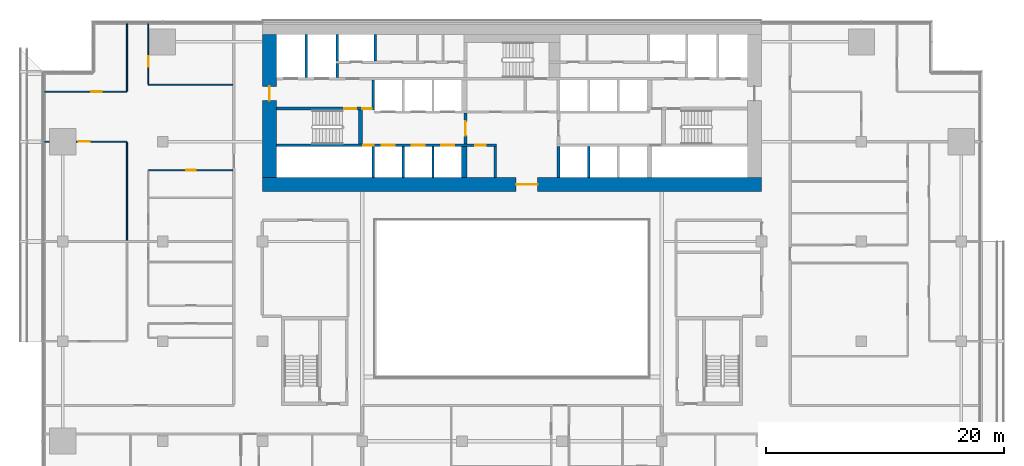
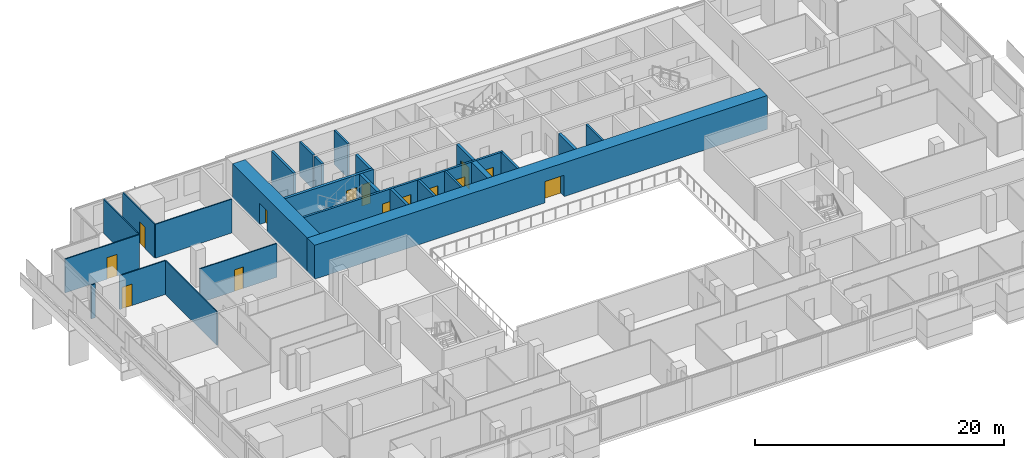
# One storey, part 21 of 28: 26 walls, 14 doors, 14 openings.
"""IFC4 building model written with IfcOpenShell, lengths in metres."""

from ifc_helpers import new_model, si_unit, direction, frame, frame_2d, origin, place, context, subcontext, project, spatial, rectangle, extrude, material, layer, layer_set, type_object, element, fill, save


model = new_model("IFC4")

# Units and contexts
model_context = context("Model", 3, precision=1e-05, world=origin(), true_north=direction((0.0, 1.0)))
body_context = subcontext(model_context, "Body", "Model", "MODEL_VIEW")
ifc_project = project(units=[si_unit("LENGTHUNIT", "METRE"), si_unit("AREAUNIT", "SQUARE_METRE"), si_unit("VOLUMEUNIT", "CUBIC_METRE"), si_unit("PLANEANGLEUNIT", "RADIAN"), si_unit("MASSUNIT", "GRAM", prefix="KILO")], contexts=[model_context])

# Site, building, storey
site_placement = place(None, origin())
site = spatial("IfcSite", under=ifc_project, at=site_placement, CompositionType="ELEMENT")
building_placement = place(site_placement, origin())
building = spatial("IfcBuilding", under=site, at=building_placement, Name="Saffron Gate Tower", CompositionType="ELEMENT")
storey_placement = place(building_placement, frame((0.0, 0.0, 51.60009765625)))
storey = spatial("IfcBuildingStorey", under=building, at=storey_placement, Name="L11", CompositionType="ELEMENT", Elevation=51.60009765625)

# Wall, opening, door
ifc_material_1 = material(Name="Concrete C70", Category="concrete")
ifc_layer_1 = layer(ifc_material_1, 1.199951171875)
ifc_layer_set_1 = layer_set([ifc_layer_1], Name="CW1 RC core wall 1200 C70")
wall_type_1 = type_object("IfcWallType", Name="CW1 RC core wall 1200 C70", PredefinedType="SOLIDWALL", material=ifc_layer_set_1)
wall_1_placement = place(storey_placement, frame((66.60009765625, 61.800048828125, 0.0), z_axis=(0.0, 0.0, 1.0), x_axis=(1.0, 0.0, 0.0)))
wall_1 = element("IfcWall", 1, at=wall_1_placement, inside=storey, type_object=wall_type_1, Name="Wall CW1-L11-1", PredefinedType="SOLIDWALL", context=body_context, shape_type="SweptSolid", body=[
    extrude(rectangle(XDim=42.0, YDim=1.199951171875, at=frame_2d((21.0, 0.0))), origin(), (0.0, 0.0, 1.0), 3.31982421875),
])
opening_1_placement = place(wall_1_placement, frame((21.35009765625, 0.0, 0.0)))
opening_1 = element("IfcOpeningElement", 2, at=opening_1_placement, cuts=wall_1, Name="Opening CR-09", PredefinedType="OPENING", context=body_context, shape_type="SweptSolid", body=[
    extrude(rectangle(XDim=1.800048828125, YDim=2.10009765625, at=frame_2d((0.89990234375, 1.050048828125))), frame((0.0, 0.60986328125, 0.0), z_axis=(0.0, -1.0, 0.0), x_axis=(1.0, 0.0, 0.0)), (0.0, 0.0, 1.0), 1.219970703125),
])
ifc_material_2 = material(Name="Steel fire door set", Category="steel")
door_type_1 = type_object("IfcDoorType", Name="CD1 Core entrance door 1800x2100 EI 120", OperationType="NOTDEFINED", PredefinedType="DOOR", material=ifc_material_2)
door_1_placement = place(opening_1_placement, origin())
door_1 = element("IfcDoor", 3, at=door_1_placement, inside=storey, type_object=door_type_1, Name="DOOR CR-09", OperationType="DOUBLE_DOOR_SINGLE_SWING", OverallHeight=2.10009765625, OverallWidth=1.800048828125, PredefinedType="DOOR", context=body_context, shape_type="SweptSolid", body=[
    extrude(rectangle(XDim=1.800048828125, YDim=2.10009765625, at=frame_2d((0.89990234375, 1.050048828125))), frame((0.0, 0.02490234375, 0.0), z_axis=(0.0, -1.0, 0.0), x_axis=(1.0, 0.0, 0.0)), (0.0, 0.0, 1.0), 0.050048828125),
])
fill(opening_1, door_1)

wall_2_placement = place(storey_placement, frame((67.199951171875, 62.39990234375, 0.0), z_axis=(0.0, 0.0, 1.0), x_axis=(0.0, 1.0, 0.0)))
wall_2 = element("IfcWall", 4, at=wall_2_placement, inside=storey, type_object=wall_type_1, Name="Wall CW1-L11-3", PredefinedType="SOLIDWALL", context=body_context, shape_type="SweptSolid", body=[
    extrude(rectangle(XDim=12.0, YDim=1.199951171875, at=frame_2d((6.0, 0.0))), origin(), (0.0, 0.0, 1.0), 3.31982421875),
])
opening_2_placement = place(wall_2_placement, frame((6.449951171875, 0.0, 0.0)))
opening_2 = element("IfcOpeningElement", 5, at=opening_2_placement, cuts=wall_2, Name="Opening CR-10", PredefinedType="OPENING", context=body_context, shape_type="SweptSolid", body=[
    extrude(rectangle(XDim=1.199951171875, YDim=2.10009765625, at=frame_2d((0.60009765625, 1.050048828125))), frame((0.0, 0.60986328125, 0.0), z_axis=(0.0, -1.0, 0.0), x_axis=(1.0, 0.0, 0.0)), (0.0, 0.0, 1.0), 1.219970703125),
])
door_type_2 = type_object("IfcDoorType", Name="CD7 Core entrance door 1200x2100 EI 120", OperationType="NOTDEFINED", PredefinedType="DOOR", material=ifc_material_2)
door_2_placement = place(opening_2_placement, origin())
door_2 = element("IfcDoor", 6, at=door_2_placement, inside=storey, type_object=door_type_2, Name="DOOR CR-10", OperationType="SINGLE_SWING_LEFT", OverallHeight=2.10009765625, OverallWidth=1.199951171875, PredefinedType="DOOR", context=body_context, shape_type="SweptSolid", body=[
    extrude(rectangle(XDim=1.199951171875, YDim=2.10009765625, at=frame_2d((0.60009765625, 1.050048828125))), frame((0.0, 0.02490234375, 0.0), z_axis=(0.0, -1.0, 0.0), x_axis=(1.0, 0.0, 0.0)), (0.0, 0.0, 1.0), 0.050048828125),
])
fill(opening_2, door_2)

# Walls
ifc_material_3 = material(Name="Gypsum board partition on steel studs", Category="steel")
ifc_layer_2 = layer(ifc_material_3, 0.199951171875)
ifc_layer_set_2 = layer_set([ifc_layer_2], Name="CW10 Core partition 200")
wall_type_2 = type_object("IfcWallType", Name="CW10 Core partition 200", PredefinedType="PARTITIONING", material=ifc_layer_set_2)
wall_3_placement = place(storey_placement, frame((86.199951171875, 62.39990234375, 0.0), z_axis=(0.0, 0.0, 1.0), x_axis=(0.0, 1.0, 0.0)))
element("IfcWall", 7, at=wall_3_placement, inside=storey, type_object=wall_type_2, Name="Wall CW10-L11-9", PredefinedType="PARTITIONING", context=body_context, shape_type="SweptSolid", body=[
    extrude(rectangle(XDim=2.60009765625, YDim=0.199951171875, at=frame_2d((1.300048828125, 0.0))), origin(), (0.0, 0.0, 1.0), 3.31982421875),
])
ifc_layer_3 = layer(ifc_material_1, 0.25)
ifc_layer_set_3 = layer_set([ifc_layer_3], Name="CW2 RC core wall 250 C70")
wall_type_3 = type_object("IfcWallType", Name="CW2 RC core wall 250 C70", PredefinedType="SOLIDWALL", material=ifc_layer_set_3)
for number, where, z_axis, x_axis, name in (
    (8, (75.925048828125, 62.39990234375, 0.0), (0.0, 0.0, 1.0), (0.0, 1.0, 0.0), "Wall CW2-L11-5"),
    (9, (91.52490234375, 62.39990234375, 0.0), (0.0, 0.0, 1.0), (0.0, 1.0, 0.0), "Wall CW2-L11-10"),
):
    element("IfcWall", number, at=place(storey_placement, frame(where, z_axis=z_axis, x_axis=x_axis)), inside=storey, type_object=wall_type_3, Name=name, PredefinedType="SOLIDWALL", context=body_context, shape_type="SweptSolid", body=[
        extrude(rectangle(XDim=2.60009765625, YDim=0.25, at=frame_2d((1.300048828125, 0.0))), origin(), (0.0, 0.0, 1.0), 3.31982421875),
    ])

# Wall, opening, door
wall_4_placement = place(storey_placement, frame((83.675048828125, 65.199951171875, 0.0), z_axis=(0.0, 0.0, 1.0), x_axis=(0.0, 1.0, 0.0)))
wall_4 = element("IfcWall", 10, at=wall_4_placement, inside=storey, type_object=wall_type_3, Name="Wall CW2-L11-17", PredefinedType="SOLIDWALL", context=body_context, shape_type="SweptSolid", body=[
    extrude(rectangle(XDim=2.60009765625, YDim=0.25, at=frame_2d((1.300048828125, 0.0))), origin(), (0.0, 0.0, 1.0), 3.31982421875),
])
opening_3_placement = place(wall_4_placement, frame((0.699951171875, 0.0, 0.0)))
opening_3 = element("IfcOpeningElement", 11, at=opening_3_placement, cuts=wall_4, Name="Opening CR-07", PredefinedType="OPENING", context=body_context, shape_type="SweptSolid", body=[
    extrude(rectangle(XDim=1.199951171875, YDim=2.10009765625, at=frame_2d((0.60009765625, 1.050048828125))), frame((0.0, 0.135009765625, 0.0), z_axis=(0.0, -1.0, 0.0), x_axis=(1.0, 0.0, 0.0)), (0.0, 0.0, 1.0), 0.27001953125),
])
door_type_3 = type_object("IfcDoorType", Name="CD3 Lobby door 1200x2100 EI 120", OperationType="NOTDEFINED", PredefinedType="DOOR", material=ifc_material_2)
door_3_placement = place(opening_3_placement, origin())
door_3 = element("IfcDoor", 12, at=door_3_placement, inside=storey, type_object=door_type_3, Name="DOOR CR-07", OperationType="SINGLE_SWING_RIGHT", OverallHeight=2.10009765625, OverallWidth=1.199951171875, PredefinedType="DOOR", context=body_context, shape_type="SweptSolid", body=[
    extrude(rectangle(XDim=1.199951171875, YDim=2.10009765625, at=frame_2d((0.60009765625, 1.050048828125))), frame((0.0, 0.02490234375, 0.0), z_axis=(0.0, -1.0, 0.0), x_axis=(1.0, 0.0, 0.0)), (0.0, 0.0, 1.0), 0.050048828125),
])
fill(opening_3, door_3)

# Wall, openings, doors
wall_5_placement = place(storey_placement, frame((67.800048828125, 68.175048828125, 0.0), z_axis=(0.0, 0.0, 1.0), x_axis=(1.0, 0.0, 0.0)))
wall_5 = element("IfcWall", 13, at=wall_5_placement, inside=storey, type_object=wall_type_3, Name="Wall CW2-L11-29", PredefinedType="SOLIDWALL", context=body_context, shape_type="SweptSolid", body=[
    extrude(rectangle(XDim=8.25, YDim=0.25, at=frame_2d((4.125, 0.0))), origin(), (0.0, 0.0, 1.0), 3.31982421875),
])
opening_4_placement = place(wall_5_placement, frame((5.699951171875, 0.0, 0.0)))
opening_4 = element("IfcOpeningElement", 14, at=opening_4_placement, cuts=wall_5, Name="Opening CR-15", PredefinedType="OPENING", context=body_context, shape_type="SweptSolid", body=[
    extrude(rectangle(XDim=1.0, YDim=2.10009765625, at=frame_2d((0.5, 1.050048828125))), frame((0.0, 0.135009765625, 0.0), z_axis=(0.0, -1.0, 0.0), x_axis=(1.0, 0.0, 0.0)), (0.0, 0.0, 1.0), 0.27001953125),
])
opening_5_placement = place(wall_5_placement, frame((7.199951171875, 0.0, 0.0)))
opening_5 = element("IfcOpeningElement", 15, at=opening_5_placement, cuts=wall_5, Name="Opening CR-06", PredefinedType="OPENING", context=body_context, shape_type="SweptSolid", body=[
    extrude(rectangle(XDim=0.800048828125, YDim=2.10009765625, at=frame_2d((0.39990234375, 1.050048828125))), frame((0.0, 0.135009765625, 0.0), z_axis=(0.0, -1.0, 0.0), x_axis=(1.0, 0.0, 0.0)), (0.0, 0.0, 1.0), 0.27001953125),
])
door_type_4 = type_object("IfcDoorType", Name="CD5 Stair door 1000x2100 EI 120", OperationType="NOTDEFINED", PredefinedType="DOOR", material=ifc_material_2)
door_4_placement = place(opening_4_placement, origin())
door_4 = element("IfcDoor", 16, at=door_4_placement, inside=storey, type_object=door_type_4, Name="DOOR CR-15", OperationType="SINGLE_SWING_RIGHT", OverallHeight=2.10009765625, OverallWidth=1.0, PredefinedType="DOOR", context=body_context, shape_type="SweptSolid", body=[
    extrude(rectangle(XDim=1.0, YDim=2.10009765625, at=frame_2d((0.5, 1.050048828125))), frame((0.0, 0.02490234375, 0.0), z_axis=(0.0, -1.0, 0.0), x_axis=(1.0, 0.0, 0.0)), (0.0, 0.0, 1.0), 0.050048828125),
])
fill(opening_4, door_4)
door_type_5 = type_object("IfcDoorType", Name="CD6 Lobby door 800x2100 EI 120", OperationType="NOTDEFINED", PredefinedType="DOOR", material=ifc_material_2)
door_5_placement = place(opening_5_placement, origin())
door_5 = element("IfcDoor", 17, at=door_5_placement, inside=storey, type_object=door_type_5, Name="DOOR CR-06", OperationType="SINGLE_SWING_LEFT", OverallHeight=2.10009765625, OverallWidth=0.800048828125, PredefinedType="DOOR", context=body_context, shape_type="SweptSolid", body=[
    extrude(rectangle(XDim=0.800048828125, YDim=2.10009765625, at=frame_2d((0.39990234375, 1.050048828125))), frame((0.0, 0.02490234375, 0.0), z_axis=(0.0, -1.0, 0.0), x_axis=(1.0, 0.0, 0.0)), (0.0, 0.0, 1.0), 0.050048828125),
])
fill(opening_5, door_5)

# Walls
wall_6_placement = place(storey_placement, frame((75.925048828125, 68.300048828125, 0.0), z_axis=(0.0, 0.0, 1.0), x_axis=(0.0, 1.0, 0.0)))
element("IfcWall", 18, at=wall_6_placement, inside=storey, type_object=wall_type_3, Name="Wall CW2-L11-31", PredefinedType="SOLIDWALL", context=body_context, shape_type="SweptSolid", body=[
    extrude(rectangle(XDim=2.300048828125, YDim=0.25, at=frame_2d((1.14990234375, 0.0))), origin(), (0.0, 0.0, 1.0), 3.31982421875),
])
ifc_layer_4 = layer(ifc_material_1, 0.199951171875)
ifc_layer_set_4 = layer_set([ifc_layer_4], Name="CW3 RC core wall 200 C70")
wall_type_4 = type_object("IfcWallType", Name="CW3 RC core wall 200 C70", PredefinedType="SOLIDWALL", material=ifc_layer_set_4)
for number, where, z_axis, x_axis, name in (
    (19, (78.449951171875, 62.39990234375, 0.0), (0.0, 0.0, 1.0), (0.0, 1.0, 0.0), "Wall CW3-L11-6"),
    (20, (80.949951171875, 62.39990234375, 0.0), (0.0, 0.0, 1.0), (0.0, 1.0, 0.0), "Wall CW3-L11-7"),
    (21, (94.050048828125, 62.39990234375, 0.0), (0.0, 0.0, 1.0), (0.0, 1.0, 0.0), "Wall CW3-L11-11"),
):
    element("IfcWall", number, at=place(storey_placement, frame(where, z_axis=z_axis, x_axis=x_axis)), inside=storey, type_object=wall_type_4, Name=name, PredefinedType="SOLIDWALL", context=body_context, shape_type="SweptSolid", body=[
        extrude(rectangle(XDim=2.60009765625, YDim=0.199951171875, at=frame_2d((1.300048828125, 0.0))), origin(), (0.0, 0.0, 1.0), 3.31982421875),
    ])

# Wall, openings, doors
wall_7_placement = place(storey_placement, frame((67.800048828125, 65.10009765625, 0.0), z_axis=(0.0, 0.0, 1.0), x_axis=(1.0, 0.0, 0.0)))
wall_7 = element("IfcWall", 22, at=wall_7_placement, inside=storey, type_object=wall_type_4, Name="Wall CW3-L11-14", PredefinedType="SOLIDWALL", context=body_context, shape_type="SweptSolid", body=[
    extrude(rectangle(XDim=18.5, YDim=0.199951171875, at=frame_2d((9.25, 0.0))), origin(), (0.0, 0.0, 1.0), 3.31982421875),
])
opening_6_placement = place(wall_7_placement, frame((7.27001953125, 0.0, 0.0)))
opening_6 = element("IfcOpeningElement", 23, at=opening_6_placement, cuts=wall_7, Name="Opening CR-49", PredefinedType="OPENING", context=body_context, shape_type="SweptSolid", body=[
    extrude(rectangle(XDim=0.89990234375, YDim=2.10009765625, at=frame_2d((0.449951171875, 1.050048828125))), frame((0.0, 0.10986328125, 0.0), z_axis=(0.0, -1.0, 0.0), x_axis=(1.0, 0.0, 0.0)), (0.0, 0.0, 1.0), 0.219970703125),
])
opening_7_placement = place(wall_7_placement, frame((8.85009765625, 0.0, 0.0)))
opening_7 = element("IfcOpeningElement", 24, at=opening_7_placement, cuts=wall_7, Name="Opening LD-LR1", PredefinedType="OPENING", context=body_context, shape_type="SweptSolid", body=[
    extrude(rectangle(XDim=1.10009765625, YDim=2.10009765625, at=frame_2d((0.550048828125, 1.050048828125))), frame((0.0, 0.10986328125, 0.0), z_axis=(0.0, -1.0, 0.0), x_axis=(1.0, 0.0, 0.0)), (0.0, 0.0, 1.0), 0.219970703125),
])
opening_8_placement = place(wall_7_placement, frame((11.35009765625, 0.0, 0.0)))
opening_8 = element("IfcOpeningElement", 25, at=opening_8_placement, cuts=wall_7, Name="Opening LD-LR2", PredefinedType="OPENING", context=body_context, shape_type="SweptSolid", body=[
    extrude(rectangle(XDim=1.10009765625, YDim=2.10009765625, at=frame_2d((0.550048828125, 1.050048828125))), frame((0.0, 0.10986328125, 0.0), z_axis=(0.0, -1.0, 0.0), x_axis=(1.0, 0.0, 0.0)), (0.0, 0.0, 1.0), 0.219970703125),
])
opening_9_placement = place(wall_7_placement, frame((13.85009765625, 0.0, 0.0)))
opening_9 = element("IfcOpeningElement", 26, at=opening_9_placement, cuts=wall_7, Name="Opening LD-LR3", PredefinedType="OPENING", context=body_context, shape_type="SweptSolid", body=[
    extrude(rectangle(XDim=1.10009765625, YDim=2.10009765625, at=frame_2d((0.550048828125, 1.050048828125))), frame((0.0, 0.10986328125, 0.0), z_axis=(0.0, -1.0, 0.0), x_axis=(1.0, 0.0, 0.0)), (0.0, 0.0, 1.0), 0.219970703125),
])
opening_10_placement = place(wall_7_placement, frame((16.699951171875, 0.0, 0.0)))
opening_10 = element("IfcOpeningElement", 27, at=opening_10_placement, cuts=wall_7, Name="Opening CR-69", PredefinedType="OPENING", context=body_context, shape_type="SweptSolid", body=[
    extrude(rectangle(XDim=0.89990234375, YDim=2.10009765625, at=frame_2d((0.449951171875, 1.050048828125))), frame((0.0, 0.10986328125, 0.0), z_axis=(0.0, -1.0, 0.0), x_axis=(1.0, 0.0, 0.0)), (0.0, 0.0, 1.0), 0.219970703125),
])
door_type_6 = type_object("IfcDoorType", Name="CD2 Riser door 900x2100 EI 60", OperationType="NOTDEFINED", PredefinedType="DOOR", material=ifc_material_2)
door_6_placement = place(opening_6_placement, origin())
door_6 = element("IfcDoor", 28, at=door_6_placement, inside=storey, type_object=door_type_6, Name="DOOR CR-49", OperationType="SINGLE_SWING_LEFT", OverallHeight=2.10009765625, OverallWidth=0.89990234375, PredefinedType="DOOR", context=body_context, shape_type="SweptSolid", body=[
    extrude(rectangle(XDim=0.89990234375, YDim=2.10009765625, at=frame_2d((0.449951171875, 1.050048828125))), frame((0.0, 0.02490234375, 0.0), z_axis=(0.0, -1.0, 0.0), x_axis=(1.0, 0.0, 0.0)), (0.0, 0.0, 1.0), 0.050048828125),
])
fill(opening_6, door_6)
door_type_7 = type_object("IfcDoorType", Name="CD9 Room door 900x2100 EI 60", OperationType="NOTDEFINED", PredefinedType="DOOR", material=ifc_material_2)
door_7_placement = place(opening_10_placement, origin())
door_7 = element("IfcDoor", 29, at=door_7_placement, inside=storey, type_object=door_type_7, Name="DOOR CR-69", OperationType="SINGLE_SWING_RIGHT", OverallHeight=2.10009765625, OverallWidth=0.89990234375, PredefinedType="DOOR", context=body_context, shape_type="SweptSolid", body=[
    extrude(rectangle(XDim=0.89990234375, YDim=2.10009765625, at=frame_2d((0.449951171875, 1.050048828125))), frame((0.0, 0.02490234375, 0.0), z_axis=(0.0, -1.0, 0.0), x_axis=(1.0, 0.0, 0.0)), (0.0, 0.0, 1.0), 0.050048828125),
])
fill(opening_10, door_7)
ifc_material_4 = material(Name="Stainless steel landing door", Category="steel")
door_type_8 = type_object("IfcDoorType", Name="LD Lift landing door 1100x2100 EI 120", OperationType="SLIDING_TO_LEFT", PredefinedType="DOOR", material=ifc_material_4)
door_8_placement = place(opening_7_placement, origin())
door_8 = element("IfcDoor", 30, at=door_8_placement, inside=storey, type_object=door_type_8, Name="LANDING DOOR LD-LR1", OperationType="SLIDING_TO_LEFT", OverallHeight=2.10009765625, OverallWidth=1.10009765625, PredefinedType="DOOR", context=body_context, shape_type="SweptSolid", body=[
    extrude(rectangle(XDim=1.10009765625, YDim=2.10009765625, at=frame_2d((0.550048828125, 1.050048828125))), frame((0.0, 0.02490234375, 0.0), z_axis=(0.0, -1.0, 0.0), x_axis=(1.0, 0.0, 0.0)), (0.0, 0.0, 1.0), 0.050048828125),
])
fill(opening_7, door_8)
door_9_placement = place(opening_8_placement, origin())
door_9 = element("IfcDoor", 31, at=door_9_placement, inside=storey, type_object=door_type_8, Name="LANDING DOOR LD-LR2", OperationType="SLIDING_TO_LEFT", OverallHeight=2.10009765625, OverallWidth=1.10009765625, PredefinedType="DOOR", context=body_context, shape_type="SweptSolid", body=[
    extrude(rectangle(XDim=1.10009765625, YDim=2.10009765625, at=frame_2d((0.550048828125, 1.050048828125))), frame((0.0, 0.02490234375, 0.0), z_axis=(0.0, -1.0, 0.0), x_axis=(1.0, 0.0, 0.0)), (0.0, 0.0, 1.0), 0.050048828125),
])
fill(opening_8, door_9)
door_10_placement = place(opening_9_placement, origin())
door_10 = element("IfcDoor", 32, at=door_10_placement, inside=storey, type_object=door_type_8, Name="LANDING DOOR LD-LR3", OperationType="SLIDING_TO_LEFT", OverallHeight=2.10009765625, OverallWidth=1.10009765625, PredefinedType="DOOR", context=body_context, shape_type="SweptSolid", body=[
    extrude(rectangle(XDim=1.10009765625, YDim=2.10009765625, at=frame_2d((0.550048828125, 1.050048828125))), frame((0.0, 0.02490234375, 0.0), z_axis=(0.0, -1.0, 0.0), x_axis=(1.0, 0.0, 0.0)), (0.0, 0.0, 1.0), 0.050048828125),
])
fill(opening_9, door_10)

# Walls
wall_8_placement = place(storey_placement, frame((70.300048828125, 70.800048828125, 0.0), z_axis=(0.0, 0.0, 1.0), x_axis=(0.0, 1.0, 0.0)))
element("IfcWall", 33, at=wall_8_placement, inside=storey, type_object=wall_type_4, Name="Wall CW3-L11-34", PredefinedType="SOLIDWALL", context=body_context, shape_type="SweptSolid", body=[
    extrude(rectangle(XDim=3.599853515625, YDim=0.199951171875, at=frame_2d((1.7998046875, 0.0))), origin(), (0.0, 0.0, 1.0), 3.31982421875),
])
wall_9_placement = place(storey_placement, frame((72.89990234375, 70.800048828125, 0.0), z_axis=(0.0, 0.0, 1.0), x_axis=(0.0, 1.0, 0.0)))
element("IfcWall", 34, at=wall_9_placement, inside=storey, type_object=wall_type_4, Name="Wall CW3-L11-35", PredefinedType="SOLIDWALL", context=body_context, shape_type="SweptSolid", body=[
    extrude(rectangle(XDim=1.199951171875, YDim=0.199951171875, at=frame_2d((0.60009765625, 0.0))), origin(), (0.0, 0.0, 1.0), 3.31982421875),
])
for number, where, z_axis, x_axis, name in (
    (35, (72.89990234375, 72.199951171875, 0.0), (0.0, 0.0, 1.0), (0.0, 1.0, 0.0), "Wall CW3-L11-42"),
    (36, (76.10009765625, 72.199951171875, 0.0), (0.0, 0.0, 1.0), (0.0, 1.0, 0.0), "Wall CW3-L11-43"),
):
    element("IfcWall", number, at=place(storey_placement, frame(where, z_axis=z_axis, x_axis=x_axis)), inside=storey, type_object=wall_type_4, Name=name, PredefinedType="SOLIDWALL", context=body_context, shape_type="SweptSolid", body=[
        extrude(rectangle(XDim=2.199951171875, YDim=0.199951171875, at=frame_2d((1.10009765625, 0.0))), origin(), (0.0, 0.0, 1.0), 3.31982421875),
    ])
ifc_layer_5 = layer(ifc_material_1, 0.449951171875)
ifc_layer_set_5 = layer_set([ifc_layer_5], Name="CW4 RC core wall 450 C70")
wall_type_5 = type_object("IfcWallType", Name="CW4 RC core wall 450 C70", PredefinedType="SOLIDWALL", material=ifc_layer_set_5)
wall_10_placement = place(storey_placement, frame((83.574951171875, 62.39990234375, 0.0), z_axis=(0.0, 0.0, 1.0), x_axis=(0.0, 1.0, 0.0)))
element("IfcWall", 37, at=wall_10_placement, inside=storey, type_object=wall_type_5, Name="Wall CW4-L11-8", PredefinedType="SOLIDWALL", context=body_context, shape_type="SweptSolid", body=[
    extrude(rectangle(XDim=2.60009765625, YDim=0.449951171875, at=frame_2d((1.300048828125, 0.0))), origin(), (0.0, 0.0, 1.0), 3.31982421875),
])
ifc_layer_6 = layer(ifc_material_1, 0.300048828125)
ifc_layer_set_6 = layer_set([ifc_layer_6], Name="CW5 RC core wall 300 C70")
wall_type_6 = type_object("IfcWallType", Name="CW5 RC core wall 300 C70", PredefinedType="SOLIDWALL", material=ifc_layer_set_6)
wall_11_placement = place(storey_placement, frame((74.85009765625, 65.199951171875, 0.0), z_axis=(0.0, 0.0, 1.0), x_axis=(0.0, 1.0, 0.0)))
element("IfcWall", 38, at=wall_11_placement, inside=storey, type_object=wall_type_6, Name="Wall CW5-L11-16", PredefinedType="SOLIDWALL", context=body_context, shape_type="SweptSolid", body=[
    extrude(rectangle(XDim=2.85009765625, YDim=0.300048828125, at=frame_2d((1.425048828125, 0.0))), origin(), (0.0, 0.0, 1.0), 3.31982421875),
])

# Wall, opening, door
ifc_material_5 = material(Name="Plasterboard on steel studs", Category="steel")
ifc_layer_7 = layer(ifc_material_5, 0.10009765625)
ifc_layer_set_7 = layer_set([ifc_layer_7], Name="PW1 Partition 100")
wall_type_7 = type_object("IfcWallType", Name="PW1 Partition 100", PredefinedType="PARTITIONING", material=ifc_layer_set_7)
wall_12_placement = place(storey_placement, frame((64.10009765625, 63.0, 0.0), z_axis=(0.0, 0.0, 1.0), x_axis=(-1.0, 0.0, 0.0)))
wall_12 = element("IfcWall", 39, at=wall_12_placement, inside=storey, type_object=wall_type_7, Name="Partition A2-42", PredefinedType="PARTITIONING", context=body_context, shape_type="SweptSolid", body=[
    extrude(rectangle(XDim=7.10009765625, YDim=0.10009765625, at=frame_2d((3.550048828125, 0.0))), origin(), (0.0, 0.0, 1.0), 3.31982421875),
])
opening_11_placement = place(wall_12_placement, frame((3.10009765625, 0.0, 0.0)))
opening_11 = element("IfcOpeningElement", 40, at=opening_11_placement, cuts=wall_12, Name="Opening A2-41", PredefinedType="OPENING", context=body_context, shape_type="SweptSolid", body=[
    extrude(rectangle(XDim=0.800048828125, YDim=2.10009765625, at=frame_2d((0.39990234375, 1.050048828125))), frame((0.0, 0.06005859375, 0.0), z_axis=(0.0, -1.0, 0.0), x_axis=(1.0, 0.0, 0.0)), (0.0, 0.0, 1.0), 0.1201171875),
])
ifc_material_6 = material(Name="Timber door set", Category="wood")
door_type_9 = type_object("IfcDoorType", Name="RD2 Bathroom door 800x2100", OperationType="NOTDEFINED", PredefinedType="DOOR", material=ifc_material_6)
door_11_placement = place(opening_11_placement, origin())
door_11 = element("IfcDoor", 41, at=door_11_placement, inside=storey, type_object=door_type_9, Name="Door A2-41", OperationType="SINGLE_SWING_LEFT", OverallHeight=2.10009765625, OverallWidth=0.800048828125, PredefinedType="DOOR", context=body_context, shape_type="SweptSolid", body=[
    extrude(rectangle(XDim=0.800048828125, YDim=2.10009765625, at=frame_2d((0.39990234375, 1.050048828125))), frame((0.0, 0.02490234375, 0.0), z_axis=(0.0, -1.0, 0.0), x_axis=(1.0, 0.0, 0.0)), (0.0, 0.0, 1.0), 0.050048828125),
])
fill(opening_11, door_11)

# Wall
wall_13_placement = place(storey_placement, frame((48.280029296875, 65.39990234375, 0.0), z_axis=(0.0, 0.0, 1.0), x_axis=(1.0, 0.0, 0.0)))
element("IfcWall", 42, at=wall_13_placement, inside=storey, type_object=wall_type_7, Name="Partition A2-46", PredefinedType="PARTITIONING", context=body_context, shape_type="SweptSolid", body=[
    extrude(rectangle(XDim=0.39990234375, YDim=0.10009765625, at=frame_2d((0.199951171875, 0.0))), origin(), (0.0, 0.0, 1.0), 3.31982421875),
])

# Wall, opening, door
wall_14_placement = place(storey_placement, frame((55.199951171875, 65.39990234375, 0.0), z_axis=(0.0, 0.0, 1.0), x_axis=(-1.0, 0.0, 0.0)))
wall_14 = element("IfcWall", 43, at=wall_14_placement, inside=storey, type_object=wall_type_7, Name="Partition A2-47", PredefinedType="PARTITIONING", context=body_context, shape_type="SweptSolid", body=[
    extrude(rectangle(XDim=4.280029296875, YDim=0.10009765625, at=frame_2d((2.14013671875, 0.0))), origin(), (0.0, 0.0, 1.0), 3.31982421875),
])
opening_12_placement = place(wall_14_placement, frame((3.14990234375, 0.0, 0.0)))
opening_12 = element("IfcOpeningElement", 44, at=opening_12_placement, cuts=wall_14, Name="Opening A2-24", PredefinedType="OPENING", context=body_context, shape_type="SweptSolid", body=[
    extrude(rectangle(XDim=0.89990234375, YDim=2.10009765625, at=frame_2d((0.449951171875, 1.050048828125))), frame((0.0, 0.06005859375, 0.0), z_axis=(0.0, -1.0, 0.0), x_axis=(1.0, 0.0, 0.0)), (0.0, 0.0, 1.0), 0.1201171875),
])
door_type_10 = type_object("IfcDoorType", Name="RD1 Room door 900x2100", OperationType="NOTDEFINED", PredefinedType="DOOR", material=ifc_material_6)
door_12_placement = place(opening_12_placement, origin())
door_12 = element("IfcDoor", 45, at=door_12_placement, inside=storey, type_object=door_type_10, Name="Door A2-24", OperationType="SINGLE_SWING_RIGHT", OverallHeight=2.10009765625, OverallWidth=0.89990234375, PredefinedType="DOOR", context=body_context, shape_type="SweptSolid", body=[
    extrude(rectangle(XDim=0.89990234375, YDim=2.10009765625, at=frame_2d((0.449951171875, 1.050048828125))), frame((0.0, 0.02490234375, 0.0), z_axis=(0.0, -1.0, 0.0), x_axis=(1.0, 0.0, 0.0)), (0.0, 0.0, 1.0), 0.050048828125),
])
fill(opening_12, door_12)

wall_15_placement = place(storey_placement, frame((48.280029296875, 69.60009765625, 0.0), z_axis=(0.0, 0.0, 1.0), x_axis=(1.0, 0.0, 0.0)))
wall_15 = element("IfcWall", 46, at=wall_15_placement, inside=storey, type_object=wall_type_7, Name="Partition A2-48", PredefinedType="PARTITIONING", context=body_context, shape_type="SweptSolid", body=[
    extrude(rectangle(XDim=6.919921875, YDim=0.10009765625, at=frame_2d((3.4599609375, 0.0))), origin(), (0.0, 0.0, 1.0), 3.31982421875),
])
opening_13_placement = place(wall_15_placement, frame((3.9052734375, 0.0, 0.0)))
opening_13 = element("IfcOpeningElement", 47, at=opening_13_placement, cuts=wall_15, Name="Opening A2-25", PredefinedType="OPENING", context=body_context, shape_type="SweptSolid", body=[
    extrude(rectangle(XDim=0.89990234375, YDim=2.10009765625, at=frame_2d((0.449951171875, 1.050048828125))), frame((0.0, 0.06005859375, 0.0), z_axis=(0.0, -1.0, 0.0), x_axis=(1.0, 0.0, 0.0)), (0.0, 0.0, 1.0), 0.1201171875),
])
door_13_placement = place(opening_13_placement, origin())
door_13 = element("IfcDoor", 48, at=door_13_placement, inside=storey, type_object=door_type_10, Name="Door A2-25", OperationType="SINGLE_SWING_RIGHT", OverallHeight=2.10009765625, OverallWidth=0.89990234375, PredefinedType="DOOR", context=body_context, shape_type="SweptSolid", body=[
    extrude(rectangle(XDim=0.89990234375, YDim=2.10009765625, at=frame_2d((0.449951171875, 1.050048828125))), frame((0.0, 0.02490234375, 0.0), z_axis=(0.0, -1.0, 0.0), x_axis=(1.0, 0.0, 0.0)), (0.0, 0.0, 1.0), 0.050048828125),
])
fill(opening_13, door_13)

# Walls
wall_16_placement = place(storey_placement, frame((57.0, 70.1943359375, 0.0), z_axis=(0.0, 0.0, 1.0), x_axis=(1.0, 0.0, 0.0)))
element("IfcWall", 49, at=wall_16_placement, inside=storey, type_object=wall_type_7, Name="Partition A2-51", PredefinedType="PARTITIONING", context=body_context, shape_type="SweptSolid", body=[
    extrude(rectangle(XDim=7.10009765625, YDim=0.10009765625, at=frame_2d((3.550048828125, 0.0))), origin(), (0.0, 0.0, 1.0), 3.31982421875),
])
wall_17_placement = place(storey_placement, frame((55.199951171875, 75.320068359375, 0.0), z_axis=(0.0, 0.0, 1.0), x_axis=(0.0, -1.0, 0.0)))
element("IfcWall", 50, at=wall_17_placement, inside=storey, type_object=wall_type_7, Name="Partition A2-53", PredefinedType="PARTITIONING", context=body_context, shape_type="SweptSolid", body=[
    extrude(rectangle(XDim=5.670166015625, YDim=0.10009765625, at=frame_2d((2.8349609375, 0.0))), origin(), (0.0, 0.0, 1.0), 3.31982421875),
])

# Wall, opening, door
wall_18_placement = place(storey_placement, frame((57.0, 75.320068359375, 0.0), z_axis=(0.0, 0.0, 1.0), x_axis=(0.0, -1.0, 0.0)))
wall_18 = element("IfcWall", 51, at=wall_18_placement, inside=storey, type_object=wall_type_7, Name="Partition A2-56", PredefinedType="PARTITIONING", context=body_context, shape_type="SweptSolid", body=[
    extrude(rectangle(XDim=5.07568359375, YDim=0.10009765625, at=frame_2d((2.537841796875, 0.0))), origin(), (0.0, 0.0, 1.0), 3.31982421875),
])
opening_14_placement = place(wall_18_placement, frame((2.722900390625, 0.0, 0.0)))
opening_14 = element("IfcOpeningElement", 52, at=opening_14_placement, cuts=wall_18, Name="Opening A2-26", PredefinedType="OPENING", context=body_context, shape_type="SweptSolid", body=[
    extrude(rectangle(XDim=0.89990234375, YDim=2.10009765625, at=frame_2d((0.449951171875, 1.050048828125))), frame((0.0, 0.06005859375, 0.0), z_axis=(0.0, -1.0, 0.0), x_axis=(1.0, 0.0, 0.0)), (0.0, 0.0, 1.0), 0.1201171875),
])
door_14_placement = place(opening_14_placement, origin())
door_14 = element("IfcDoor", 53, at=door_14_placement, inside=storey, type_object=door_type_10, Name="Door A2-26", OperationType="SINGLE_SWING_RIGHT", OverallHeight=2.10009765625, OverallWidth=0.89990234375, PredefinedType="DOOR", context=body_context, shape_type="SweptSolid", body=[
    extrude(rectangle(XDim=0.89990234375, YDim=2.10009765625, at=frame_2d((0.449951171875, 1.050048828125))), frame((0.0, 0.02490234375, 0.0), z_axis=(0.0, -1.0, 0.0), x_axis=(1.0, 0.0, 0.0)), (0.0, 0.0, 1.0), 0.050048828125),
])
fill(opening_14, door_14)

# Wall
wall_19_placement = place(storey_placement, frame((55.199951171875, 65.35009765625, 0.0), z_axis=(0.0, 0.0, 1.0), x_axis=(0.0, -1.0, 0.0)))
element("IfcWall", 54, at=wall_19_placement, inside=storey, type_object=wall_type_7, Name="Partition A2-104", PredefinedType="PARTITIONING", context=body_context, shape_type="SweptSolid", body=[
    extrude(rectangle(XDim=8.25, YDim=0.10009765625, at=frame_2d((4.125, 0.0))), origin(), (0.0, 0.0, 1.0), 3.31982421875),
])

save(model, "model.ifc")
